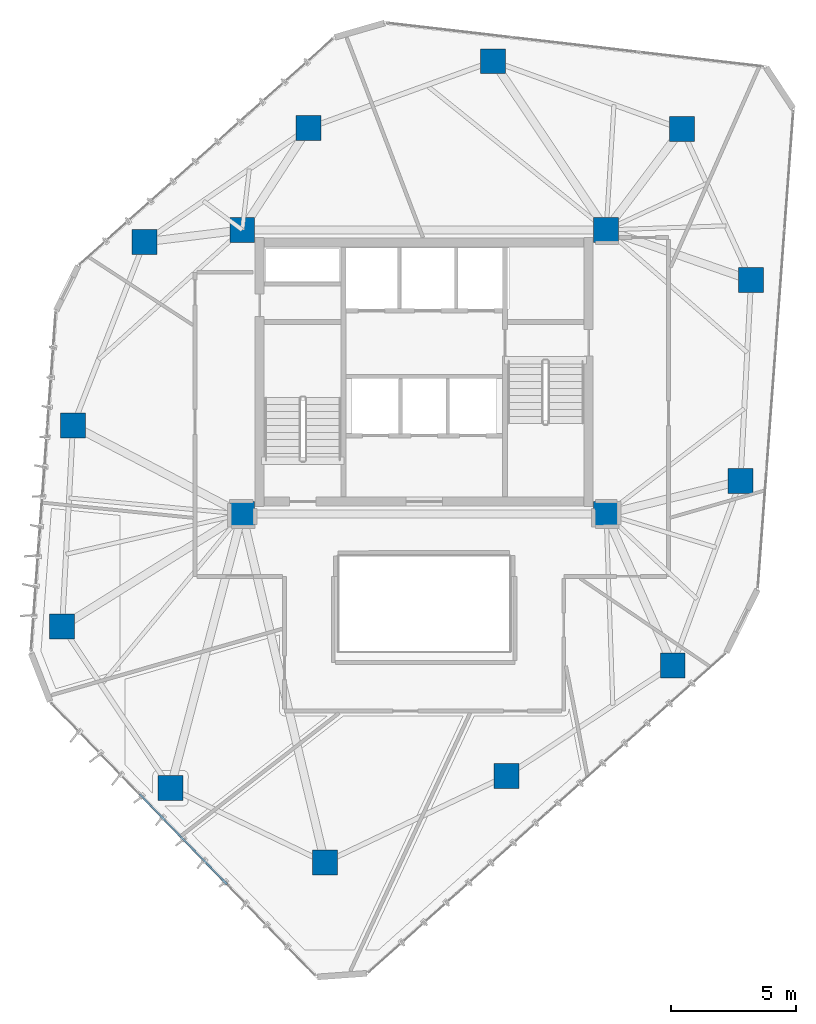
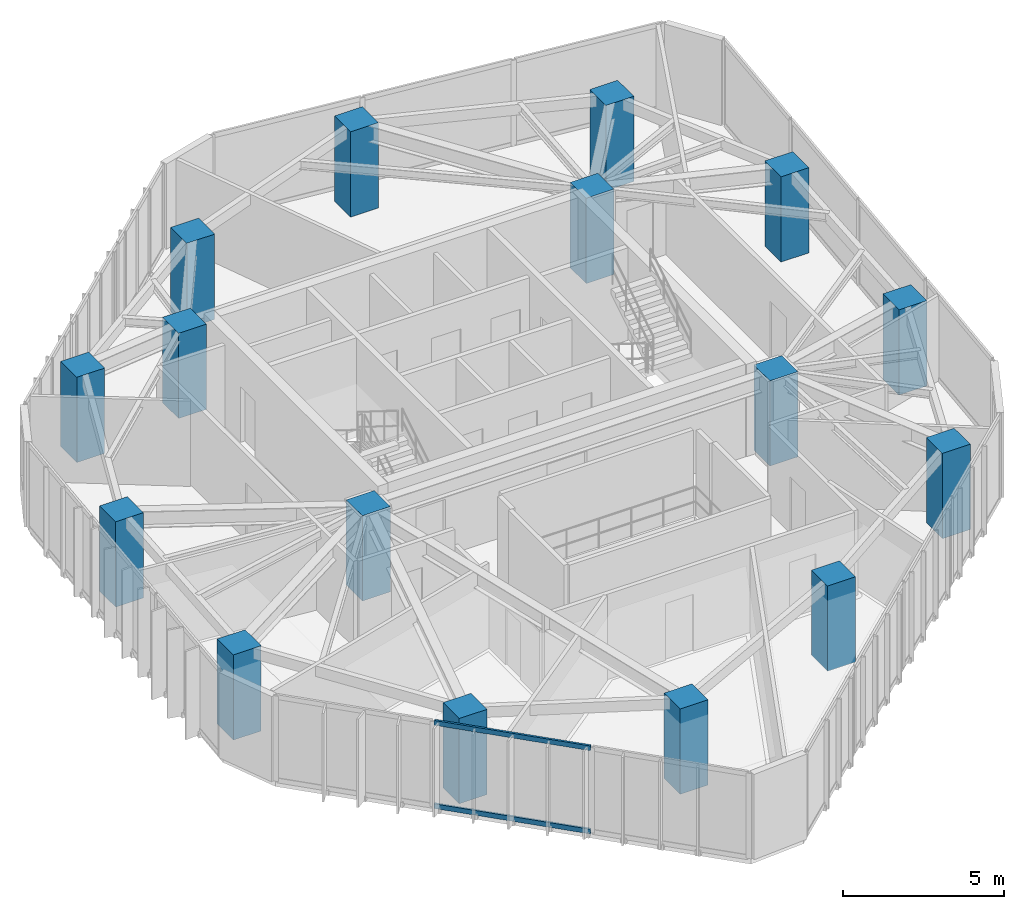
# One storey, part 1 of 19: 16 columns, 2 members, 1 element without a shape of its own.
"""IFC4 building model written with IfcOpenShell, lengths in metres."""

from ifc_helpers import new_model, si_unit, direction, frame, origin, origin_2d, place, context, subcontext, project, spatial, rectangle, hollow_rectangle, extrude, source, transform, mapped, material, layer, layer_set, material_profile, profile_set, type_object, type_shapes, element, aggregate, save


model = new_model("IFC4")

# Units and contexts
model_context = context("Model", 3, precision=1e-05, world=origin(), true_north=direction((0.0, 1.0)))
body_context = subcontext(model_context, "Body", "Model", "MODEL_VIEW")
ifc_project = project(units=[si_unit("LENGTHUNIT", "METRE"), si_unit("AREAUNIT", "SQUARE_METRE"), si_unit("VOLUMEUNIT", "CUBIC_METRE"), si_unit("PLANEANGLEUNIT", "RADIAN"), si_unit("MASSUNIT", "GRAM", prefix="KILO")], contexts=[model_context])

# Site, building, storey
site_placement = place(None, origin())
site = spatial("IfcSite", under=ifc_project, at=site_placement, CompositionType="ELEMENT")
building_placement = place(site_placement, origin())
building = spatial("IfcBuilding", under=site, at=building_placement, Name="Talar Marvaseh", CompositionType="ELEMENT")
storey_placement = place(building_placement, frame((0.0, 0.0, 222.199951171875)))
storey = spatial("IfcBuildingStorey", under=building, at=storey_placement, Name="L58", CompositionType="ELEMENT", Elevation=222.199951171875)

# Columns
ifc_material_1 = material(Name="Concrete C60/75", Category="concrete")
ifc_material_profile_1 = material_profile(ifc_material_1, rectangle(XDim=1.0, YDim=1.0, at=origin_2d()), Name="RC1000x1000")
ifc_profile_set_1 = profile_set([ifc_material_profile_1], Name="Concrete C60/75")
column_type = type_object("IfcColumnType", Name="Zone 3 Tube Column RC1000x1000", PredefinedType="COLUMN", material=ifc_profile_set_1)
for number, where, z_axis, x_axis, name in (
    (1, (28.76611328125, 43.66796875, 0.0), (0.0, 0.0, 1.0), (1.0, 0.0, 0.0), "L58 Zone 3 Tube Column RC1000x1000"),
    (2, (36.341064453125, 40.94189453125, 0.0), (0.0, 0.0, 1.0), (1.0, 0.0, 0.0), "L58 Zone 3 Tube Column RC1000x1000"),
    (3, (39.113037109375, 34.884033203125, 0.0), (0.0, 0.0, 1.0), (1.0, 0.0, 0.0), "L58 Zone 3 Tube Column RC1000x1000"),
    (4, (38.68896484375, 26.823974609375, 0.0), (0.0, 0.0, 1.0), (1.0, 0.0, 0.0), "L58 Zone 3 Tube Column RC1000x1000"),
    (5, (35.970947265625, 19.423095703125, 0.0), (0.0, 0.0, 1.0), (1.0, 0.0, 0.0), "L58 Zone 3 Tube Column RC1000x1000"),
    (6, (29.299072265625, 14.993896484375, 0.0), (0.0, 0.0, 1.0), (1.0, 0.0, 0.0), "L58 Zone 3 Tube Column RC1000x1000"),
    (7, (22.014892578125, 11.51904296875, 0.0), (0.0, 0.0, 1.0), (1.0, 0.0, 0.0), "L58 Zone 3 Tube Column RC1000x1000"),
    (8, (15.819091796875, 14.5009765625, 0.0), (0.0, 0.0, 1.0), (1.0, 0.0, 0.0), "L58 Zone 3 Tube Column RC1000x1000"),
    (9, (11.471923828125, 20.986083984375, 0.0), (0.0, 0.0, 1.0), (1.0, 0.0, 0.0), "L58 Zone 3 Tube Column RC1000x1000"),
    (10, (11.908935546875, 29.044921875, 0.0), (0.0, 0.0, 1.0), (1.0, 0.0, 0.0), "L58 Zone 3 Tube Column RC1000x1000"),
    (11, (14.77294921875, 36.416015625, 0.0), (0.0, 0.0, 1.0), (1.0, 0.0, 0.0), "L58 Zone 3 Tube Column RC1000x1000"),
    (12, (21.35205078125, 40.986083984375, 0.0), (0.0, 0.0, 1.0), (1.0, 0.0, 0.0), "L58 Zone 3 Tube Column RC1000x1000"),
    (13, (18.699951171875, 25.5, 0.0), (0.0, 0.0, 1.0), (1.0, 0.0, 0.0), "L58 Zone 3 Tube Column RC1000x1000"),
    (14, (33.300048828125, 25.5, 0.0), (0.0, 0.0, 1.0), (1.0, 0.0, 0.0), "L58 Zone 3 Tube Column RC1000x1000"),
    (15, (33.300048828125, 36.89990234375, 0.0), (0.0, 0.0, 1.0), (1.0, 0.0, 0.0), "L58 Zone 3 Tube Column RC1000x1000"),
    (16, (18.699951171875, 36.89990234375, 0.0), (0.0, 0.0, 1.0), (1.0, 0.0, 0.0), "L58 Zone 3 Tube Column RC1000x1000"),
):
    element("IfcColumn", number, at=place(storey_placement, frame(where, z_axis=z_axis, x_axis=x_axis)), inside=storey, type_object=column_type, Name=name, PredefinedType="COLUMN", context=body_context, shape_type="SweptSolid", body=[
        extrude(rectangle(XDim=1.0, YDim=1.0, at=origin_2d()), origin(), (0.0, 0.0, 1.0), 3.22998046875),
    ])

# Curtain wall, members
ifc_material_2 = material(Name="Architectural Aluminium", Category="aluminium")
ifc_layer = layer(ifc_material_2, 0.18994140625)
ifc_layer_set = layer_set([ifc_layer], Name="Architectural Aluminium")
curtain_wall_type = type_object("IfcCurtainWallType", Name="Unitised Solar Atelier Curtain Wall Z3", PredefinedType="NOTDEFINED", material=ifc_layer_set)
curtain_wall_placement = place(storey_placement, origin())
curtain_wall = element("IfcCurtainWall", 17, at=curtain_wall_placement, inside=storey, type_object=curtain_wall_type, Name="L58 Unitised Solar Atelier Curtain Wall Z3", PredefinedType="NOTDEFINED")
ifc_material_profile_2 = material_profile(ifc_material_2, hollow_rectangle(XDim=0.074951171875, YDim=0.179931640625, WallThickness=0.0048828125, at=origin_2d()), Name="RHS180x75x5")
ifc_profile_set_2 = profile_set([ifc_material_profile_2], Name="Architectural Aluminium")
member_type = type_object("IfcMemberType", Name="Unitised Curtain Wall Transom RHS180x75x5", PredefinedType="USERDEFINED", material=ifc_profile_set_2)
shared_shape = source(origin(), body_context, "Body", "SweptSolid", [
    extrude(hollow_rectangle(XDim=0.074951171875, YDim=0.179931640625, WallThickness=0.0048828125, at=origin_2d()), origin(), (0.0, 0.0, 1.0), 5.0380859375),
])
type_shapes(member_type, [shared_shape])
member_1_placement = place(storey_placement, frame((18.08984375, 10.641845703125, 0.03759765625), z_axis=(-0.695873332248, 0.71816453927, 0.0), x_axis=(-0.71816453927, -0.695873332248, 0.0)))
member_1 = element("IfcMember", 18, at=member_1_placement, type_object=member_type, Name="CW-Z3 transom 2.1", ObjectType="TRANSOM", PredefinedType="USERDEFINED", context=body_context, shape_type="MappedRepresentation", body=[
    mapped(shared_shape, transform((0.0, 0.0, 0.0), x_axis=(1.0, 0.0, 0.0), y_axis=(0.0, 1.0, 0.0), z_axis=(0.0, 0.0, 1.0), scale=1.0)),
])
member_2_placement = place(storey_placement, frame((18.08984375, 10.641845703125, 3.192626953125), z_axis=(-0.695873332248, 0.71816453927, 0.0), x_axis=(-0.71816453927, -0.695873332248, 0.0)))
member_2 = element("IfcMember", 19, at=member_2_placement, type_object=member_type, Name="CW-Z3 transom 2.2", ObjectType="TRANSOM", PredefinedType="USERDEFINED", context=body_context, shape_type="MappedRepresentation", body=[
    mapped(shared_shape, transform((0.0, 0.0, 0.0), x_axis=(1.0, 0.0, 0.0), y_axis=(0.0, 1.0, 0.0), z_axis=(0.0, 0.0, 1.0), scale=1.0)),
])
aggregate(curtain_wall, [member_1, member_2])

save(model, "model.ifc")
